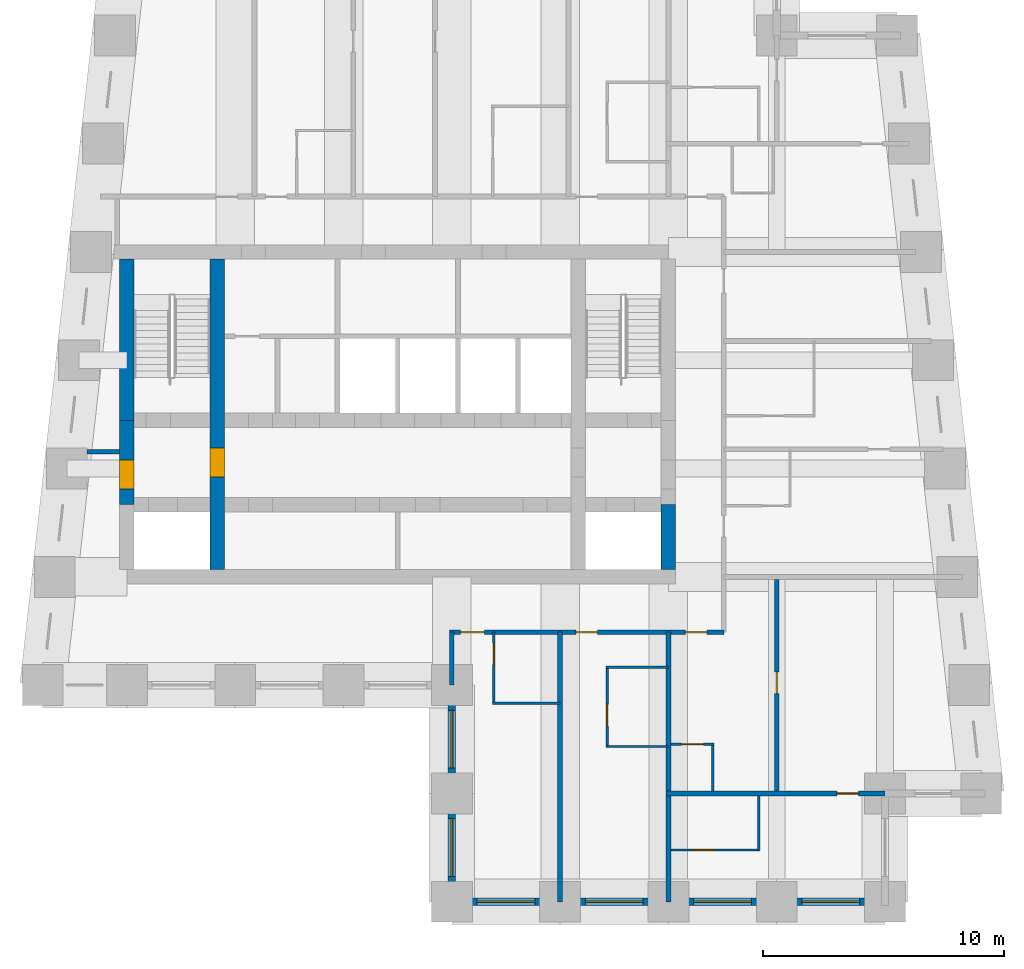
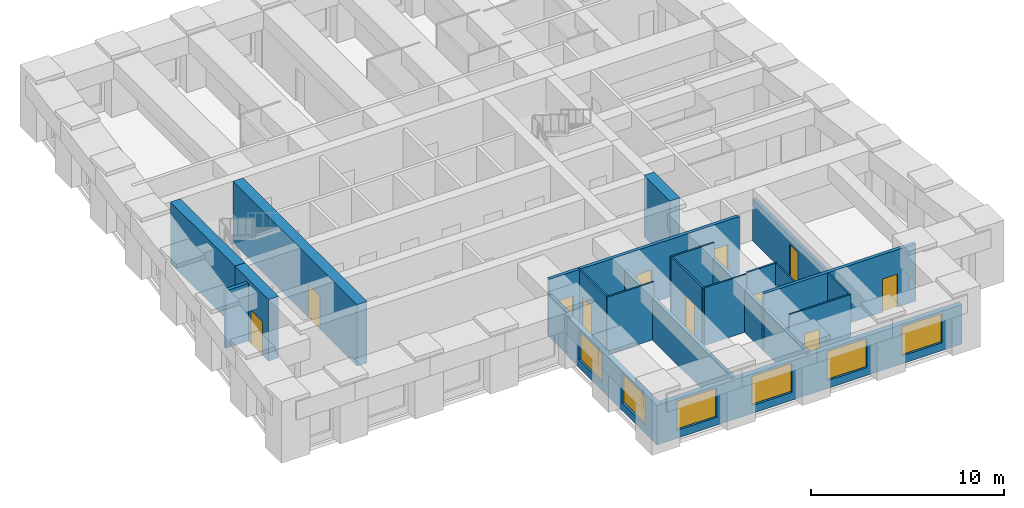
# One storey, part 2 of 7: 22 walls, 11 doors, 6 windows, 17 openings.
"""IFC4 building model written with IfcOpenShell, lengths in metres."""

from ifc_helpers import new_model, si_unit, direction, frame, frame_2d, origin, place, context, subcontext, project, spatial, rectangle, extrude, material, layer, layer_set, type_object, element, fill, save


model = new_model("IFC4")

# Units and contexts
model_context = context("Model", 3, precision=1e-05, world=origin(), true_north=direction((0.0, 1.0)))
body_context = subcontext(model_context, "Body", "Model", "MODEL_VIEW")
ifc_project = project(units=[si_unit("LENGTHUNIT", "METRE"), si_unit("AREAUNIT", "SQUARE_METRE"), si_unit("VOLUMEUNIT", "CUBIC_METRE"), si_unit("PLANEANGLEUNIT", "RADIAN"), si_unit("MASSUNIT", "GRAM", prefix="KILO")], contexts=[model_context])

# Site, building, storey
site_placement = place(None, origin())
site = spatial("IfcSite", under=ifc_project, at=site_placement, CompositionType="ELEMENT")
building_placement = place(site_placement, origin())
building = spatial("IfcBuilding", under=site, at=building_placement, Name="Kilele Tower Hotel", CompositionType="ELEMENT")
storey_placement = place(building_placement, frame((0.0, 0.0, 233.0)))
storey = spatial("IfcBuildingStorey", under=building, at=storey_placement, Name="L60", CompositionType="ELEMENT", Elevation=233.0)

# Wall
ifc_material_1 = material(Name="Moisture-resistant board")
ifc_layer_1 = layer(ifc_material_1, 0.10009765625)
ifc_layer_set_1 = layer_set([ifc_layer_1], Name="Moisture-resistant board")
wall_type_1 = type_object("IfcWallType", Name="Bathroom partition 100", PredefinedType="PLUMBINGWALL", material=ifc_layer_set_1)
wall_1_placement = place(storey_placement, frame((28.699951171875, 8.25, 0.0), z_axis=(0.0, 0.0, 1.0), x_axis=(1.0, 0.0, 0.0)))
element("IfcWall", 1, at=wall_1_placement, inside=storey, type_object=wall_type_1, Name="Bathroom partition 100 L60", PredefinedType="PLUMBINGWALL", context=body_context, shape_type="SweptSolid", body=[
    extrude(rectangle(XDim=2.800048828125, YDim=0.10009765625, at=frame_2d((1.39990234375, 0.0))), origin(), (0.0, 0.0, 1.0), 3.64990234375),
])

# Wall, opening, door
wall_2_placement = place(storey_placement, frame((28.75, 11.199951171875, 0.0), z_axis=(0.0, 0.0, 1.0), x_axis=(0.0, -1.0, 0.0)))
wall_2 = element("IfcWall", 2, at=wall_2_placement, inside=storey, type_object=wall_type_1, Name="Bathroom partition 100 L60", PredefinedType="PLUMBINGWALL", context=body_context, shape_type="SweptSolid", body=[
    extrude(rectangle(XDim=3.0, YDim=0.10009765625, at=frame_2d((1.5, 0.0))), origin(), (0.0, 0.0, 1.0), 3.64990234375),
])
opening_1_placement = place(wall_2_placement, frame((1.349853515625, 0.0, 0.0), z_axis=(0.0, 0.0, 1.0), x_axis=(-1.0, 0.0, 0.0)))
opening_1 = element("IfcOpeningElement", 3, at=opening_1_placement, cuts=wall_2, Name="Opening D2A", PredefinedType="OPENING", context=body_context, shape_type="SweptSolid", body=[
    extrude(rectangle(XDim=0.89990234375, YDim=2.10009765625, at=frame_2d((0.449951171875, 1.050048828125))), frame((0.0, 0.06005859375, 0.0), z_axis=(0.0, -1.0, 0.0), x_axis=(1.0, 0.0, 0.0)), (0.0, 0.0, 1.0), 0.1201171875),
])
ifc_material_2 = material(Name="Timber door leaf in hardwood frame", Category="wood")
door_type_1 = type_object("IfcDoorType", Name="Bathroom door 900", OperationType="SINGLE_SWING_LEFT", PredefinedType="DOOR", material=ifc_material_2)
door_1_placement = place(opening_1_placement, origin())
door_1 = element("IfcDoor", 4, at=door_1_placement, inside=storey, type_object=door_type_1, Name="Bathroom door 6002B", OperationType="SINGLE_SWING_RIGHT", OverallHeight=2.10009765625, OverallWidth=0.89990234375, PredefinedType="DOOR", context=body_context, shape_type="SweptSolid", body=[
    extrude(rectangle(XDim=0.89990234375, YDim=2.10009765625, at=frame_2d((0.449951171875, 1.050048828125))), frame((0.0, 0.02490234375, 0.0), z_axis=(0.0, -1.0, 0.0), x_axis=(1.0, 0.0, 0.0)), (0.0, 0.0, 1.0), 0.050048828125),
])
fill(opening_1, door_1)

# Walls
for number, where, z_axis, x_axis, name in (
    (5, (33.39990234375, 9.75, 0.0), (0.0, 0.0, 1.0), (1.0, 0.0, 0.0), "Bathroom partition 100 L60"),
    (6, (33.39990234375, 6.449951171875, 0.0), (0.0, 0.0, 1.0), (1.0, 0.0, 0.0), "Bathroom partition 100 L60"),
):
    element("IfcWall", number, at=place(storey_placement, frame(where, z_axis=z_axis, x_axis=x_axis)), inside=storey, type_object=wall_type_1, Name=name, PredefinedType="PLUMBINGWALL", context=body_context, shape_type="SweptSolid", body=[
        extrude(rectangle(XDim=2.60009765625, YDim=0.10009765625, at=frame_2d((1.300048828125, 0.0))), origin(), (0.0, 0.0, 1.0), 3.64990234375),
    ])

# Wall, opening, door
wall_3_placement = place(storey_placement, frame((33.449951171875, 9.800048828125, 0.0), z_axis=(0.0, 0.0, 1.0), x_axis=(0.0, -1.0, 0.0)))
wall_3 = element("IfcWall", 7, at=wall_3_placement, inside=storey, type_object=wall_type_1, Name="Bathroom partition 100 L60", PredefinedType="PLUMBINGWALL", context=body_context, shape_type="SweptSolid", body=[
    extrude(rectangle(XDim=3.400146484375, YDim=0.10009765625, at=frame_2d((1.7001953125, 0.0))), origin(), (0.0, 0.0, 1.0), 3.64990234375),
])
opening_2_placement = place(wall_3_placement, frame((2.5, 0.0, 0.0), z_axis=(0.0, 0.0, 1.0), x_axis=(-1.0, 0.0, 0.0)))
opening_2 = element("IfcOpeningElement", 8, at=opening_2_placement, cuts=wall_3, Name="Opening D2A", PredefinedType="OPENING", context=body_context, shape_type="SweptSolid", body=[
    extrude(rectangle(XDim=0.89990234375, YDim=2.10009765625, at=frame_2d((0.449951171875, 1.050048828125))), frame((0.0, 0.06005859375, 0.0), z_axis=(0.0, -1.0, 0.0), x_axis=(1.0, 0.0, 0.0)), (0.0, 0.0, 1.0), 0.1201171875),
])
door_2_placement = place(opening_2_placement, origin())
door_2 = element("IfcDoor", 9, at=door_2_placement, inside=storey, type_object=door_type_1, Name="Bathroom door 6003B", OperationType="SINGLE_SWING_LEFT", OverallHeight=2.10009765625, OverallWidth=0.89990234375, PredefinedType="DOOR", context=body_context, shape_type="SweptSolid", body=[
    extrude(rectangle(XDim=0.89990234375, YDim=2.10009765625, at=frame_2d((0.449951171875, 1.050048828125))), frame((0.0, 0.02490234375, 0.0), z_axis=(0.0, -1.0, 0.0), x_axis=(1.0, 0.0, 0.0)), (0.0, 0.0, 1.0), 0.050048828125),
])
fill(opening_2, door_2)

# Wall
wall_4_placement = place(storey_placement, frame((37.85009765625, 4.60009765625, 0.0), z_axis=(0.0, 0.0, 1.0), x_axis=(0.0, 1.0, 0.0)))
element("IfcWall", 10, at=wall_4_placement, inside=storey, type_object=wall_type_1, Name="Bathroom partition 100 L60", PredefinedType="PLUMBINGWALL", context=body_context, shape_type="SweptSolid", body=[
    extrude(rectangle(XDim=2.0, YDim=0.10009765625, at=frame_2d((1.0, 0.0))), origin(), (0.0, 0.0, 1.0), 3.64990234375),
])

# Wall, opening, door
wall_5_placement = place(storey_placement, frame((36.10009765625, 6.550048828125, 0.0), z_axis=(0.0, 0.0, 1.0), x_axis=(1.0, 0.0, 0.0)))
wall_5 = element("IfcWall", 11, at=wall_5_placement, inside=storey, type_object=wall_type_1, Name="Bathroom partition 100 L60", PredefinedType="PLUMBINGWALL", context=body_context, shape_type="SweptSolid", body=[
    extrude(rectangle(XDim=1.7998046875, YDim=0.10009765625, at=frame_2d((0.89990234375, 0.0))), origin(), (0.0, 0.0, 1.0), 3.64990234375),
])
opening_3_placement = place(wall_5_placement, frame((0.449951171875, 0.0, 0.0)))
opening_3 = element("IfcOpeningElement", 12, at=opening_3_placement, cuts=wall_5, Name="Opening D2A", PredefinedType="OPENING", context=body_context, shape_type="SweptSolid", body=[
    extrude(rectangle(XDim=0.89990234375, YDim=2.10009765625, at=frame_2d((0.449951171875, 1.050048828125))), frame((0.0, 0.06005859375, 0.0), z_axis=(0.0, -1.0, 0.0), x_axis=(1.0, 0.0, 0.0)), (0.0, 0.0, 1.0), 0.1201171875),
])
door_3_placement = place(opening_3_placement, origin())
door_3 = element("IfcDoor", 13, at=door_3_placement, inside=storey, type_object=door_type_1, Name="Bathroom door 6012P", OperationType="SINGLE_SWING_LEFT", OverallHeight=2.10009765625, OverallWidth=0.89990234375, PredefinedType="DOOR", context=body_context, shape_type="SweptSolid", body=[
    extrude(rectangle(XDim=0.89990234375, YDim=2.10009765625, at=frame_2d((0.449951171875, 1.050048828125))), frame((0.0, 0.02490234375, 0.0), z_axis=(0.0, -1.0, 0.0), x_axis=(1.0, 0.0, 0.0)), (0.0, 0.0, 1.0), 0.050048828125),
])
fill(opening_3, door_3)

# Wall
wall_6_placement = place(storey_placement, frame((39.75, 4.39990234375, 0.0), z_axis=(0.0, 0.0, 1.0), x_axis=(0.0, -1.0, 0.0)))
element("IfcWall", 14, at=wall_6_placement, inside=storey, type_object=wall_type_1, Name="Bathroom partition 100 L60", PredefinedType="PLUMBINGWALL", context=body_context, shape_type="SweptSolid", body=[
    extrude(rectangle(XDim=2.2998046875, YDim=0.10009765625, at=frame_2d((1.14990234375, 0.0))), origin(), (0.0, 0.0, 1.0), 3.64990234375),
])

# Wall, opening, door
wall_7_placement = place(storey_placement, frame((36.10009765625, 2.14990234375, 0.0), z_axis=(0.0, 0.0, 1.0), x_axis=(1.0, 0.0, 0.0)))
wall_7 = element("IfcWall", 15, at=wall_7_placement, inside=storey, type_object=wall_type_1, Name="Bathroom partition 100 L60", PredefinedType="PLUMBINGWALL", context=body_context, shape_type="SweptSolid", body=[
    extrude(rectangle(XDim=3.699951171875, YDim=0.10009765625, at=frame_2d((1.85009765625, 0.0))), origin(), (0.0, 0.0, 1.0), 3.64990234375),
])
opening_4_placement = place(wall_7_placement, frame((1.7998046875, 0.0, 0.0), z_axis=(0.0, 0.0, 1.0), x_axis=(-1.0, 0.0, 0.0)))
opening_4 = element("IfcOpeningElement", 16, at=opening_4_placement, cuts=wall_7, Name="Opening D2A", PredefinedType="OPENING", context=body_context, shape_type="SweptSolid", body=[
    extrude(rectangle(XDim=0.89990234375, YDim=2.10009765625, at=frame_2d((0.449951171875, 1.050048828125))), frame((0.0, 0.06005859375, 0.0), z_axis=(0.0, -1.0, 0.0), x_axis=(1.0, 0.0, 0.0)), (0.0, 0.0, 1.0), 0.1201171875),
])
door_4_placement = place(opening_4_placement, origin())
door_4 = element("IfcDoor", 17, at=door_4_placement, inside=storey, type_object=door_type_1, Name="Bathroom door 6014B", OperationType="SINGLE_SWING_RIGHT", OverallHeight=2.10009765625, OverallWidth=0.89990234375, PredefinedType="DOOR", context=body_context, shape_type="SweptSolid", body=[
    extrude(rectangle(XDim=0.89990234375, YDim=2.10009765625, at=frame_2d((0.449951171875, 1.050048828125))), frame((0.0, 0.02490234375, 0.0), z_axis=(0.0, -1.0, 0.0), x_axis=(1.0, 0.0, 0.0)), (0.0, 0.0, 1.0), 0.050048828125),
])
fill(opening_4, door_4)

ifc_material_3 = material(Name="Concrete C60/75", Category="concrete")
ifc_layer_2 = layer(ifc_material_3, 0.60009765625)
ifc_layer_set_2 = layer_set([ifc_layer_2], Name="Concrete C60/75")
wall_type_2 = type_object("IfcWallType", Name="Core wall 600 C60/75", PredefinedType="SHEAR", material=ifc_layer_set_2)
wall_8_placement = place(storey_placement, frame((17.25, 13.800048828125, 0.0), z_axis=(0.0, 0.0, 1.0), x_axis=(0.0, 1.0, 0.0)))
wall_8 = element("IfcWall", 18, at=wall_8_placement, inside=storey, type_object=wall_type_2, Name="Core wall IW L60", PredefinedType="SHEAR", context=body_context, shape_type="SweptSolid", body=[
    extrude(rectangle(XDim=12.89990234375, YDim=0.60009765625, at=frame_2d((6.449951171875, 0.0))), origin(), (0.0, 0.0, 1.0), 3.89990234375),
])
opening_5_placement = place(wall_8_placement, frame((3.85009765625, 0.0, 0.0)))
opening_5 = element("IfcOpeningElement", 19, at=opening_5_placement, cuts=wall_8, Name="Opening D4", PredefinedType="OPENING", context=body_context, shape_type="SweptSolid", body=[
    extrude(rectangle(XDim=1.199951171875, YDim=2.10009765625, at=frame_2d((0.60009765625, 1.050048828125))), frame((0.0, 0.31005859375, 0.0), z_axis=(0.0, -1.0, 0.0), x_axis=(1.0, 0.0, 0.0)), (0.0, 0.0, 1.0), 0.6201171875),
])
ifc_material_4 = material(Name="Timber door leaf in hardwood frame", Category="wood")
door_type_2 = type_object("IfcDoorType", Name="Firefighting lobby door 1200", OperationType="SINGLE_SWING_LEFT", PredefinedType="DOOR", material=ifc_material_4)
door_5_placement = place(opening_5_placement, origin())
door_5 = element("IfcDoor", 20, at=door_5_placement, inside=storey, type_object=door_type_2, Name="Lobby door L60", OperationType="SINGLE_SWING_LEFT", OverallHeight=2.10009765625, OverallWidth=1.199951171875, PredefinedType="DOOR", context=body_context, shape_type="SweptSolid", body=[
    extrude(rectangle(XDim=1.199951171875, YDim=2.10009765625, at=frame_2d((0.60009765625, 1.050048828125))), frame((0.0, 0.2998046875, 0.0), z_axis=(0.0, -1.0, 0.0), x_axis=(1.0, 0.0, 0.0)), (0.0, 0.0, 1.0), 0.599609375),
])
fill(opening_5, door_5)

# Wall
wall_9_placement = place(storey_placement, frame((13.5, 26.699951171875, 0.0), z_axis=(0.0, 0.0, 1.0), x_axis=(0.0, -1.0, 0.0)))
element("IfcWall", 21, at=wall_9_placement, inside=storey, type_object=wall_type_2, Name="Core wall W1 L60", PredefinedType="SHEAR", context=body_context, shape_type="SweptSolid", body=[
    extrude(rectangle(XDim=6.699951171875, YDim=0.60009765625, at=frame_2d((3.35009765625, 0.0))), origin(), (0.0, 0.0, 1.0), 3.89990234375),
])

# Wall, opening, door
wall_10_placement = place(storey_placement, frame((13.5, 20.0, 0.0), z_axis=(0.0, 0.0, 1.0), x_axis=(0.0, -1.0, 0.0)))
wall_10 = element("IfcWall", 22, at=wall_10_placement, inside=storey, type_object=wall_type_2, Name="Core wall W2 L60", PredefinedType="SHEAR", context=body_context, shape_type="SweptSolid", body=[
    extrude(rectangle(XDim=3.5, YDim=0.60009765625, at=frame_2d((1.75, 0.0))), origin(), (0.0, 0.0, 1.0), 3.89990234375),
])
opening_6_placement = place(wall_10_placement, frame((1.64990234375, 0.0, 0.0)))
opening_6 = element("IfcOpeningElement", 23, at=opening_6_placement, cuts=wall_10, Name="Opening D4", PredefinedType="OPENING", context=body_context, shape_type="SweptSolid", body=[
    extrude(rectangle(XDim=1.199951171875, YDim=2.10009765625, at=frame_2d((0.60009765625, 1.050048828125))), frame((0.0, 0.31005859375, 0.0), z_axis=(0.0, -1.0, 0.0), x_axis=(1.0, 0.0, 0.0)), (0.0, 0.0, 1.0), 0.6201171875),
])
door_6_placement = place(opening_6_placement, origin())
door_6 = element("IfcDoor", 24, at=door_6_placement, inside=storey, type_object=door_type_2, Name="Lobby door L60", OperationType="SINGLE_SWING_RIGHT", OverallHeight=2.10009765625, OverallWidth=1.199951171875, PredefinedType="DOOR", context=body_context, shape_type="SweptSolid", body=[
    extrude(rectangle(XDim=1.199951171875, YDim=2.10009765625, at=frame_2d((0.60009765625, 1.050048828125))), frame((0.0, 0.2998046875, 0.0), z_axis=(0.0, -1.0, 0.0), x_axis=(1.0, 0.0, 0.0)), (0.0, 0.0, 1.0), 0.599609375),
])
fill(opening_6, door_6)

# Wall
wall_11_placement = place(storey_placement, frame((36.0, 13.800048828125, 0.0), z_axis=(0.0, 0.0, 1.0), x_axis=(0.0, 1.0, 0.0)))
element("IfcWall", 25, at=wall_11_placement, inside=storey, type_object=wall_type_2, Name="Core wall E1 L60", PredefinedType="SHEAR", context=body_context, shape_type="SweptSolid", body=[
    extrude(rectangle(XDim=2.699951171875, YDim=0.60009765625, at=frame_2d((1.35009765625, 0.0))), origin(), (0.0, 0.0, 1.0), 3.89990234375),
])

# Wall, openings, doors
ifc_material_5 = material(Name="Blockwork, plastered both sides", Category="masonry")
ifc_layer_3 = layer(ifc_material_5, 0.199951171875)
ifc_layer_set_3 = layer_set([ifc_layer_3], Name="Blockwork, plastered both sides")
wall_type_3 = type_object("IfcWallType", Name="Corridor wall 200", PredefinedType="PARTITIONING", material=ifc_layer_set_3)
wall_12_placement = place(storey_placement, frame((26.89990234375, 11.199951171875, 0.0), z_axis=(0.0, 0.0, 1.0), x_axis=(1.0, 0.0, 0.0)))
wall_12 = element("IfcWall", 26, at=wall_12_placement, inside=storey, type_object=wall_type_3, Name="Corridor wall 200 L60", PredefinedType="PARTITIONING", context=body_context, shape_type="SweptSolid", body=[
    extrude(rectangle(XDim=11.400146484375, YDim=0.199951171875, at=frame_2d((5.7001953125, 0.0))), origin(), (0.0, 0.0, 1.0), 3.64990234375),
])
opening_7_placement = place(wall_12_placement, frame((1.449951171875, 0.0, 0.0), z_axis=(0.0, 0.0, 1.0), x_axis=(-1.0, 0.0, 0.0)))
opening_7 = element("IfcOpeningElement", 27, at=opening_7_placement, cuts=wall_12, Name="Opening D1A", PredefinedType="OPENING", context=body_context, shape_type="SweptSolid", body=[
    extrude(rectangle(XDim=1.0, YDim=2.10009765625, at=frame_2d((0.5, 1.050048828125))), frame((0.0, 0.10986328125, 0.0), z_axis=(0.0, -1.0, 0.0), x_axis=(1.0, 0.0, 0.0)), (0.0, 0.0, 1.0), 0.219970703125),
])
opening_8_placement = place(wall_12_placement, frame((6.14990234375, 0.0, 0.0), z_axis=(0.0, 0.0, 1.0), x_axis=(-1.0, 0.0, 0.0)))
opening_8 = element("IfcOpeningElement", 28, at=opening_8_placement, cuts=wall_12, Name="Opening D1", PredefinedType="OPENING", context=body_context, shape_type="SweptSolid", body=[
    extrude(rectangle(XDim=0.89990234375, YDim=2.10009765625, at=frame_2d((0.449951171875, 1.050048828125))), frame((0.0, 0.10986328125, 0.0), z_axis=(0.0, -1.0, 0.0), x_axis=(1.0, 0.0, 0.0)), (0.0, 0.0, 1.0), 0.219970703125),
])
opening_9_placement = place(wall_12_placement, frame((10.699951171875, 0.0, 0.0), z_axis=(0.0, 0.0, 1.0), x_axis=(-1.0, 0.0, 0.0)))
opening_9 = element("IfcOpeningElement", 29, at=opening_9_placement, cuts=wall_12, Name="Opening D1", PredefinedType="OPENING", context=body_context, shape_type="SweptSolid", body=[
    extrude(rectangle(XDim=0.89990234375, YDim=2.10009765625, at=frame_2d((0.449951171875, 1.050048828125))), frame((0.0, 0.10986328125, 0.0), z_axis=(0.0, -1.0, 0.0), x_axis=(1.0, 0.0, 0.0)), (0.0, 0.0, 1.0), 0.219970703125),
])
ifc_material_6 = material(Name="Timber door leaf in hardwood frame", Category="wood")
door_type_3 = type_object("IfcDoorType", Name="Guest room entrance door 1000", OperationType="SINGLE_SWING_LEFT", PredefinedType="DOOR", material=ifc_material_6)
door_7_placement = place(opening_7_placement, origin())
door_7 = element("IfcDoor", 30, at=door_7_placement, inside=storey, type_object=door_type_3, Name="Room entrance 6002", OperationType="SINGLE_SWING_RIGHT", OverallHeight=2.10009765625, OverallWidth=1.0, PredefinedType="DOOR", context=body_context, shape_type="SweptSolid", body=[
    extrude(rectangle(XDim=1.0, YDim=2.10009765625, at=frame_2d((0.5, 1.050048828125))), frame((0.0, 0.02490234375, 0.0), z_axis=(0.0, -1.0, 0.0), x_axis=(1.0, 0.0, 0.0)), (0.0, 0.0, 1.0), 0.050048828125),
])
fill(opening_7, door_7)
ifc_material_7 = material(Name="Timber door leaf in hardwood frame", Category="wood")
door_type_4 = type_object("IfcDoorType", Name="Guest room entrance door 900", OperationType="SINGLE_SWING_LEFT", PredefinedType="DOOR", material=ifc_material_7)
door_8_placement = place(opening_8_placement, origin())
door_8 = element("IfcDoor", 31, at=door_8_placement, inside=storey, type_object=door_type_4, Name="Room entrance 6003", OperationType="SINGLE_SWING_RIGHT", OverallHeight=2.10009765625, OverallWidth=0.89990234375, PredefinedType="DOOR", context=body_context, shape_type="SweptSolid", body=[
    extrude(rectangle(XDim=0.89990234375, YDim=2.10009765625, at=frame_2d((0.449951171875, 1.050048828125))), frame((0.0, 0.02490234375, 0.0), z_axis=(0.0, -1.0, 0.0), x_axis=(1.0, 0.0, 0.0)), (0.0, 0.0, 1.0), 0.050048828125),
])
fill(opening_8, door_8)
door_9_placement = place(opening_9_placement, origin())
door_9 = element("IfcDoor", 32, at=door_9_placement, inside=storey, type_object=door_type_4, Name="Room entrance 6012", OperationType="SINGLE_SWING_RIGHT", OverallHeight=2.10009765625, OverallWidth=0.89990234375, PredefinedType="DOOR", context=body_context, shape_type="SweptSolid", body=[
    extrude(rectangle(XDim=0.89990234375, YDim=2.10009765625, at=frame_2d((0.449951171875, 1.050048828125))), frame((0.0, 0.02490234375, 0.0), z_axis=(0.0, -1.0, 0.0), x_axis=(1.0, 0.0, 0.0)), (0.0, 0.0, 1.0), 0.050048828125),
])
fill(opening_9, door_9)

# Wall
ifc_material_8 = material(Name="Blockwork, plastered both sides", Category="masonry")
ifc_layer_4 = layer(ifc_material_8, 0.199951171875)
ifc_layer_set_4 = layer_set([ifc_layer_4], Name="Blockwork, plastered both sides")
wall_type_4 = type_object("IfcWallType", Name="Partition wall 200", PredefinedType="PARTITIONING", material=ifc_layer_set_4)
wall_13_placement = place(storey_placement, frame((13.199951171875, 18.699951171875, 0.0), z_axis=(0.0, 0.0, 1.0), x_axis=(-1.0, 0.0, 0.0)))
element("IfcWall", 33, at=wall_13_placement, inside=storey, type_object=wall_type_4, Name="Partition wall 200 L60", PredefinedType="PARTITIONING", context=body_context, shape_type="SweptSolid", body=[
    extrude(rectangle(XDim=1.349853515625, YDim=0.199951171875, at=frame_2d((0.6748046875, 0.0))), origin(), (0.0, 0.0, 1.0), 3.64990234375),
])

# Wall, opening, door
wall_14_placement = place(storey_placement, frame((40.5, 4.60009765625, 0.0), z_axis=(0.0, 0.0, 1.0), x_axis=(0.0, 1.0, 0.0)))
wall_14 = element("IfcWall", 34, at=wall_14_placement, inside=storey, type_object=wall_type_4, Name="Partition wall 200 L60", PredefinedType="PARTITIONING", context=body_context, shape_type="SweptSolid", body=[
    extrude(rectangle(XDim=8.7998046875, YDim=0.199951171875, at=frame_2d((4.39990234375, 0.0))), origin(), (0.0, 0.0, 1.0), 2.64990234375),
])
opening_10_placement = place(wall_14_placement, frame((4.050048828125, 0.0, 0.0)))
opening_10 = element("IfcOpeningElement", 35, at=opening_10_placement, cuts=wall_14, Name="Opening D3", PredefinedType="OPENING", context=body_context, shape_type="SweptSolid", body=[
    extrude(rectangle(XDim=0.89990234375, YDim=2.10009765625, at=frame_2d((0.449951171875, 1.050048828125))), frame((0.0, 0.10986328125, 0.0), z_axis=(0.0, -1.0, 0.0), x_axis=(1.0, 0.0, 0.0)), (0.0, 0.0, 1.0), 0.219970703125),
])
ifc_material_9 = material(Name="Timber door leaf in hardwood frame", Category="wood")
door_type_5 = type_object("IfcDoorType", Name="Suite internal door 900", OperationType="SINGLE_SWING_LEFT", PredefinedType="DOOR", material=ifc_material_9)
door_10_placement = place(opening_10_placement, origin())
door_10 = element("IfcDoor", 36, at=door_10_placement, inside=storey, type_object=door_type_5, Name="Suite door 6013", OperationType="SINGLE_SWING_RIGHT", OverallHeight=2.10009765625, OverallWidth=0.89990234375, PredefinedType="DOOR", context=body_context, shape_type="SweptSolid", body=[
    extrude(rectangle(XDim=0.89990234375, YDim=2.10009765625, at=frame_2d((0.449951171875, 1.050048828125))), frame((0.0, 0.02490234375, 0.0), z_axis=(0.0, -1.0, 0.0), x_axis=(1.0, 0.0, 0.0)), (0.0, 0.0, 1.0), 0.050048828125),
])
fill(opening_10, door_10)

# Walls
ifc_material_10 = material(Name="Blockwork, plastered both sides", Category="masonry")
ifc_layer_5 = layer(ifc_material_10, 0.199951171875)
ifc_layer_set_5 = layer_set([ifc_layer_5], Name="Blockwork, plastered both sides")
wall_type_5 = type_object("IfcWallType", Name="Party wall 200", PredefinedType="PARTITIONING", material=ifc_layer_set_5)
wall_15_placement = place(storey_placement, frame((27.0, 11.199951171875, 0.0), z_axis=(0.0, 0.0, 1.0), x_axis=(0.0, -1.0, 0.0)))
element("IfcWall", 37, at=wall_15_placement, inside=storey, type_object=wall_type_5, Name="Party wall 200 L60", PredefinedType="PARTITIONING", context=body_context, shape_type="SweptSolid", body=[
    extrude(rectangle(XDim=2.199951171875, YDim=0.199951171875, at=frame_2d((1.10009765625, 0.0))), origin(), (0.0, 0.0, 1.0), 2.64990234375),
])
for number, where, z_axis, x_axis, name in (
    (38, (31.5, 11.199951171875, 0.0), (0.0, 0.0, 1.0), (0.0, -1.0, 0.0), "Party wall 200 L60"),
    (39, (36.0, 11.199951171875, 0.0), (0.0, 0.0, 1.0), (0.0, -1.0, 0.0), "Party wall 200 L60"),
):
    element("IfcWall", number, at=place(storey_placement, frame(where, z_axis=z_axis, x_axis=x_axis)), inside=storey, type_object=wall_type_5, Name=name, PredefinedType="PARTITIONING", context=body_context, shape_type="SweptSolid", body=[
        extrude(rectangle(XDim=11.199951171875, YDim=0.199951171875, at=frame_2d((5.60009765625, 0.0))), origin(), (0.0, 0.0, 1.0), 2.64990234375),
    ])

# Wall, opening, door
wall_16_placement = place(storey_placement, frame((35.89990234375, 4.5, 0.0), z_axis=(0.0, 0.0, 1.0), x_axis=(1.0, 0.0, 0.0)))
wall_16 = element("IfcWall", 40, at=wall_16_placement, inside=storey, type_object=wall_type_5, Name="Party wall 200 L60", PredefinedType="PARTITIONING", context=body_context, shape_type="SweptSolid", body=[
    extrude(rectangle(XDim=9.10009765625, YDim=0.199951171875, at=frame_2d((4.550048828125, 0.0))), origin(), (0.0, 0.0, 1.0), 3.64990234375),
])
opening_11_placement = place(wall_16_placement, frame((7.10009765625, 0.0, 0.0)))
opening_11 = element("IfcOpeningElement", 41, at=opening_11_placement, cuts=wall_16, Name="Opening D3", PredefinedType="OPENING", context=body_context, shape_type="SweptSolid", body=[
    extrude(rectangle(XDim=0.89990234375, YDim=2.10009765625, at=frame_2d((0.449951171875, 1.050048828125))), frame((0.0, 0.10986328125, 0.0), z_axis=(0.0, -1.0, 0.0), x_axis=(1.0, 0.0, 0.0)), (0.0, 0.0, 1.0), 0.219970703125),
])
door_11_placement = place(opening_11_placement, origin())
door_11 = element("IfcDoor", 42, at=door_11_placement, inside=storey, type_object=door_type_5, Name="Suite door 6014", OperationType="SINGLE_SWING_RIGHT", OverallHeight=2.10009765625, OverallWidth=0.89990234375, PredefinedType="DOOR", context=body_context, shape_type="SweptSolid", body=[
    extrude(rectangle(XDim=0.89990234375, YDim=2.10009765625, at=frame_2d((0.449951171875, 1.050048828125))), frame((0.0, 0.02490234375, 0.0), z_axis=(0.0, -1.0, 0.0), x_axis=(1.0, 0.0, 0.0)), (0.0, 0.0, 1.0), 0.050048828125),
])
fill(opening_11, door_11)

# Wall, openings, windows
ifc_material_11 = material(Name="Concrete C40/50 precast", Category="concrete")
ifc_layer_6 = layer(ifc_material_11, 0.260009765625, Name="Precast backing", Category="LoadBearing")
ifc_material_12 = material(Name="Reconstituted stone finish", Category="masonry")
ifc_layer_7 = layer(ifc_material_12, 0.0400390625, Name="Face mix", Category="Finish")
ifc_layer_set_6 = layer_set([ifc_layer_6, ifc_layer_7], Name="Precast concrete C40/50, reconstituted stone finish")
wall_type_6 = type_object("IfcWallType", Name="Precast stone facade wall 300", PredefinedType="STANDARD", material=ifc_layer_set_6)
wall_17_placement = place(storey_placement, frame((27.0, 9.14990234375, 0.0), z_axis=(0.0, 0.0, 1.0), x_axis=(0.0, -1.0, 0.0)))
wall_17 = element("IfcWall", 43, at=wall_17_placement, inside=storey, type_object=wall_type_6, Name="Facade wall L60 edge 2", PredefinedType="STANDARD", context=body_context, shape_type="SweptSolid", body=[
    extrude(rectangle(XDim=9.2998046875, YDim=0.300048828125, at=frame_2d((4.64990234375, 0.0))), origin(), (0.0, 0.0, 1.0), 2.5),
])
opening_12_placement = place(wall_17_placement, frame((1.199951171875, 0.0, 0.5)))
opening_12 = element("IfcOpeningElement", 44, at=opening_12_placement, cuts=wall_17, Name="Opening W4", PredefinedType="OPENING", context=body_context, shape_type="SweptSolid", body=[
    extrude(rectangle(XDim=2.39990234375, YDim=1.85009765625, at=frame_2d((1.199951171875, 0.925048828125))), frame((0.0, 0.159912109375, 0.0), z_axis=(0.0, -1.0, 0.0), x_axis=(1.0, 0.0, 0.0)), (0.0, 0.0, 1.0), 0.320068359375),
])
opening_13_placement = place(wall_17_placement, frame((5.699951171875, 0.0, 0.5)))
opening_13 = element("IfcOpeningElement", 45, at=opening_13_placement, cuts=wall_17, Name="Opening W4", PredefinedType="OPENING", context=body_context, shape_type="SweptSolid", body=[
    extrude(rectangle(XDim=2.39990234375, YDim=1.85009765625, at=frame_2d((1.199951171875, 0.925048828125))), frame((0.0, 0.159912109375, 0.0), z_axis=(0.0, -1.0, 0.0), x_axis=(1.0, 0.0, 0.0)), (0.0, 0.0, 1.0), 0.320068359375),
])
ifc_material_13 = material(Name="Aluminium frame, clear double glazing", Category="aluminium")
window_type = type_object("IfcWindowType", Name="Window W4 2400 x 1850", PartitioningType="SINGLE_PANEL", PredefinedType="WINDOW", material=ifc_material_13)
window_1_placement = place(opening_12_placement, origin())
window_1 = element("IfcWindow", 46, at=window_1_placement, inside=storey, type_object=window_type, Name="Window L60", OverallHeight=1.85009765625, OverallWidth=2.39990234375, PartitioningType="SINGLE_PANEL", PredefinedType="WINDOW", context=body_context, shape_type="SweptSolid", body=[
    extrude(rectangle(XDim=2.39990234375, YDim=1.85009765625, at=frame_2d((1.199951171875, 0.925048828125))), frame((0.0, 0.030029296875, 0.0), z_axis=(0.0, -1.0, 0.0), x_axis=(1.0, 0.0, 0.0)), (0.0, 0.0, 1.0), 0.06005859375),
])
fill(opening_12, window_1)
window_2_placement = place(opening_13_placement, origin())
window_2 = element("IfcWindow", 47, at=window_2_placement, inside=storey, type_object=window_type, Name="Window L60", OverallHeight=1.85009765625, OverallWidth=2.39990234375, PartitioningType="SINGLE_PANEL", PredefinedType="WINDOW", context=body_context, shape_type="SweptSolid", body=[
    extrude(rectangle(XDim=2.39990234375, YDim=1.85009765625, at=frame_2d((1.199951171875, 0.925048828125))), frame((0.0, 0.030029296875, 0.0), z_axis=(0.0, -1.0, 0.0), x_axis=(1.0, 0.0, 0.0)), (0.0, 0.0, 1.0), 0.06005859375),
])
fill(opening_13, window_2)

wall_18_placement = place(storey_placement, frame((26.85009765625, 0.0, 0.0), z_axis=(0.0, 0.0, 1.0), x_axis=(1.0, 0.0, 0.0)))
wall_18 = element("IfcWall", 48, at=wall_18_placement, inside=storey, type_object=wall_type_6, Name="Facade wall L60 edge 3", PredefinedType="STANDARD", context=body_context, shape_type="SweptSolid", body=[
    extrude(rectangle(XDim=18.2998046875, YDim=0.300048828125, at=frame_2d((9.14990234375, 0.0))), origin(), (0.0, 0.0, 1.0), 2.5),
])
opening_14_placement = place(wall_18_placement, frame((1.199951171875, 0.0, 0.5)))
opening_14 = element("IfcOpeningElement", 49, at=opening_14_placement, cuts=wall_18, Name="Opening W4", PredefinedType="OPENING", context=body_context, shape_type="SweptSolid", body=[
    extrude(rectangle(XDim=2.39990234375, YDim=1.85009765625, at=frame_2d((1.199951171875, 0.925048828125))), frame((0.0, 0.159912109375, 0.0), z_axis=(0.0, -1.0, 0.0), x_axis=(1.0, 0.0, 0.0)), (0.0, 0.0, 1.0), 0.320068359375),
])
opening_15_placement = place(wall_18_placement, frame((5.699951171875, 0.0, 0.5)))
opening_15 = element("IfcOpeningElement", 50, at=opening_15_placement, cuts=wall_18, Name="Opening W4", PredefinedType="OPENING", context=body_context, shape_type="SweptSolid", body=[
    extrude(rectangle(XDim=2.39990234375, YDim=1.85009765625, at=frame_2d((1.199951171875, 0.925048828125))), frame((0.0, 0.159912109375, 0.0), z_axis=(0.0, -1.0, 0.0), x_axis=(1.0, 0.0, 0.0)), (0.0, 0.0, 1.0), 0.320068359375),
])
opening_16_placement = place(wall_18_placement, frame((10.199951171875, 0.0, 0.5)))
opening_16 = element("IfcOpeningElement", 51, at=opening_16_placement, cuts=wall_18, Name="Opening W4", PredefinedType="OPENING", context=body_context, shape_type="SweptSolid", body=[
    extrude(rectangle(XDim=2.39990234375, YDim=1.85009765625, at=frame_2d((1.199951171875, 0.925048828125))), frame((0.0, 0.159912109375, 0.0), z_axis=(0.0, -1.0, 0.0), x_axis=(1.0, 0.0, 0.0)), (0.0, 0.0, 1.0), 0.320068359375),
])
opening_17_placement = place(wall_18_placement, frame((14.699951171875, 0.0, 0.5)))
opening_17 = element("IfcOpeningElement", 52, at=opening_17_placement, cuts=wall_18, Name="Opening W4", PredefinedType="OPENING", context=body_context, shape_type="SweptSolid", body=[
    extrude(rectangle(XDim=2.39990234375, YDim=1.85009765625, at=frame_2d((1.199951171875, 0.925048828125))), frame((0.0, 0.159912109375, 0.0), z_axis=(0.0, -1.0, 0.0), x_axis=(1.0, 0.0, 0.0)), (0.0, 0.0, 1.0), 0.320068359375),
])
window_3_placement = place(opening_14_placement, origin())
window_3 = element("IfcWindow", 53, at=window_3_placement, inside=storey, type_object=window_type, Name="Window L60", OverallHeight=1.85009765625, OverallWidth=2.39990234375, PartitioningType="SINGLE_PANEL", PredefinedType="WINDOW", context=body_context, shape_type="SweptSolid", body=[
    extrude(rectangle(XDim=2.39990234375, YDim=1.85009765625, at=frame_2d((1.199951171875, 0.925048828125))), frame((0.0, 0.030029296875, 0.0), z_axis=(0.0, -1.0, 0.0), x_axis=(1.0, 0.0, 0.0)), (0.0, 0.0, 1.0), 0.06005859375),
])
fill(opening_14, window_3)
window_4_placement = place(opening_15_placement, origin())
window_4 = element("IfcWindow", 54, at=window_4_placement, inside=storey, type_object=window_type, Name="Window L60", OverallHeight=1.85009765625, OverallWidth=2.39990234375, PartitioningType="SINGLE_PANEL", PredefinedType="WINDOW", context=body_context, shape_type="SweptSolid", body=[
    extrude(rectangle(XDim=2.39990234375, YDim=1.85009765625, at=frame_2d((1.199951171875, 0.925048828125))), frame((0.0, 0.030029296875, 0.0), z_axis=(0.0, -1.0, 0.0), x_axis=(1.0, 0.0, 0.0)), (0.0, 0.0, 1.0), 0.06005859375),
])
fill(opening_15, window_4)
window_5_placement = place(opening_16_placement, origin())
window_5 = element("IfcWindow", 55, at=window_5_placement, inside=storey, type_object=window_type, Name="Window L60", OverallHeight=1.85009765625, OverallWidth=2.39990234375, PartitioningType="SINGLE_PANEL", PredefinedType="WINDOW", context=body_context, shape_type="SweptSolid", body=[
    extrude(rectangle(XDim=2.39990234375, YDim=1.85009765625, at=frame_2d((1.199951171875, 0.925048828125))), frame((0.0, 0.030029296875, 0.0), z_axis=(0.0, -1.0, 0.0), x_axis=(1.0, 0.0, 0.0)), (0.0, 0.0, 1.0), 0.06005859375),
])
fill(opening_16, window_5)
window_6_placement = place(opening_17_placement, origin())
window_6 = element("IfcWindow", 56, at=window_6_placement, inside=storey, type_object=window_type, Name="Window L60", OverallHeight=1.85009765625, OverallWidth=2.39990234375, PartitioningType="SINGLE_PANEL", PredefinedType="WINDOW", context=body_context, shape_type="SweptSolid", body=[
    extrude(rectangle(XDim=2.39990234375, YDim=1.85009765625, at=frame_2d((1.199951171875, 0.925048828125))), frame((0.0, 0.030029296875, 0.0), z_axis=(0.0, -1.0, 0.0), x_axis=(1.0, 0.0, 0.0)), (0.0, 0.0, 1.0), 0.06005859375),
])
fill(opening_17, window_6)

save(model, "model.ifc")
